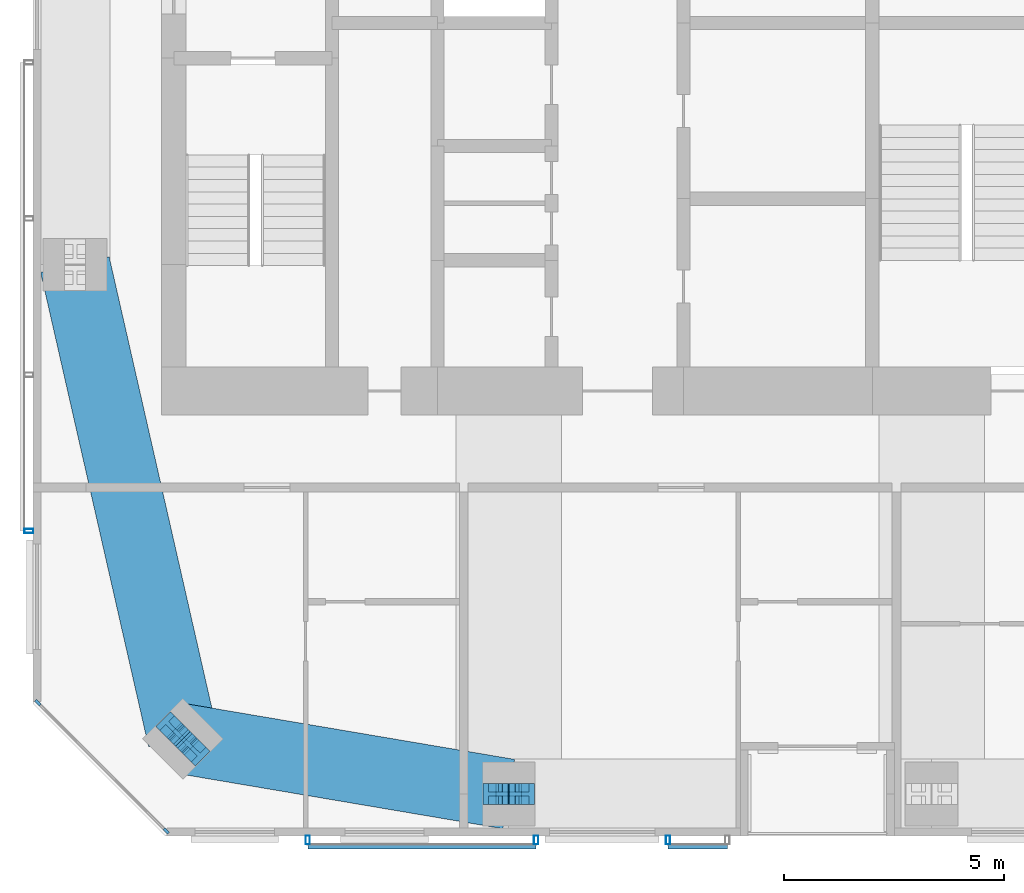
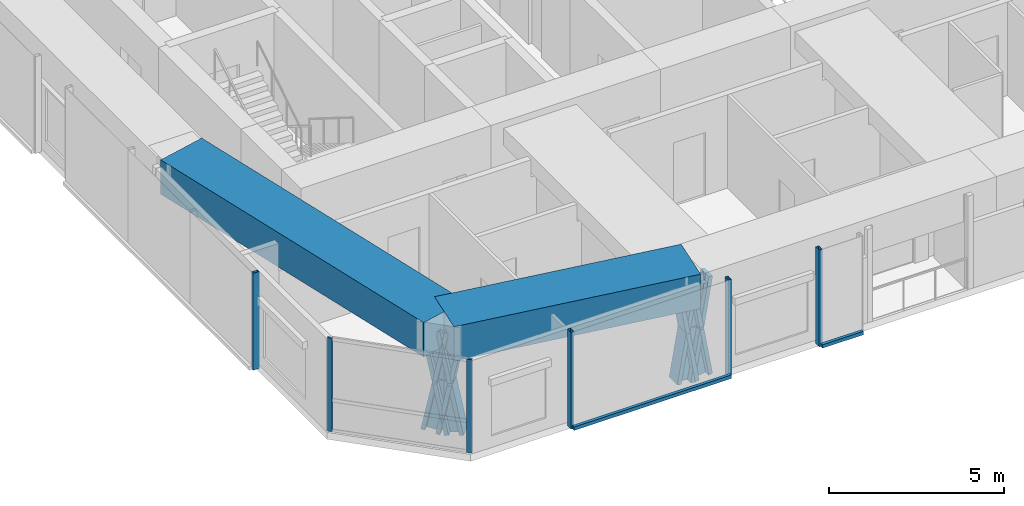
# One storey, part 2 of 20: 16 members, 2 beams, 4 elements without a shape of their own.
"""IFC4 building model written with IfcOpenShell, lengths in metres."""

from ifc_helpers import new_model, si_unit, direction, frame, origin, origin_2d, place, context, subcontext, project, spatial, rectangle, hollow_rectangle, i_section, extrude, material, material_profile, profile_set, type_object, element, aggregate, save


model = new_model("IFC4")

# Units and contexts
model_context = context("Model", 3, precision=1e-05, world=origin(), true_north=direction((0.0, 1.0)))
body_context = subcontext(model_context, "Body", "Model", "MODEL_VIEW")
ifc_project = project(units=[si_unit("LENGTHUNIT", "METRE"), si_unit("AREAUNIT", "SQUARE_METRE"), si_unit("VOLUMEUNIT", "CUBIC_METRE"), si_unit("PLANEANGLEUNIT", "RADIAN"), si_unit("MASSUNIT", "GRAM", prefix="KILO")], contexts=[model_context])

# Site, building, storey
site_placement = place(None, origin())
site = spatial("IfcSite", under=ifc_project, at=site_placement, CompositionType="ELEMENT")
building_placement = place(site_placement, origin())
building = spatial("IfcBuilding", under=site, at=building_placement, Name="Jalousie Tower", CompositionType="ELEMENT")
storey_placement = place(building_placement, frame((0.0, 0.0, 245.949951171875)))
storey = spatial("IfcBuildingStorey", under=building, at=storey_placement, Name="L67", CompositionType="ELEMENT", Elevation=245.949951171875)

# Curtain wall, members
ifc_material_1 = material(Name="Aluminium curtain wall", Category="aluminium")
curtain_wall_type_1 = type_object("IfcCurtainWallType", Name="CORNER WINDOW WALL", PredefinedType="USERDEFINED", material=ifc_material_1)
curtain_wall_1_placement = place(storey_placement, origin())
curtain_wall_1 = element("IfcCurtainWall", 1, at=curtain_wall_1_placement, inside=storey, type_object=curtain_wall_type_1, Name="Corner Window Wall L67 8", ObjectType="CORNER WINDOW WALL", PredefinedType="USERDEFINED")
ifc_material_2 = material(Name="Aluminium mullion", Category="aluminium")
ifc_material_profile_1 = material_profile(ifc_material_2, rectangle(XDim=0.06005859375, YDim=0.14990234375, at=origin_2d()), Name="MULLION 60x150")
ifc_profile_set_1 = profile_set([ifc_material_profile_1], Name="Aluminium mullion")
member_type_1 = type_object("IfcMemberType", Name="CORNER WINDOW WALL MULLION", PredefinedType="MULLION", material=ifc_profile_set_1)
member_1_placement = place(storey_placement, frame((16.90869140625, 3.030029296875, 0.0), z_axis=(0.0, 0.0, 1.0), x_axis=(0.707106781187, 0.707106781187, 0.0)))
member_1 = element("IfcMember", 2, at=member_1_placement, type_object=member_type_1, Name="CW-C mullion 1", PredefinedType="MULLION", context=body_context, shape_type="SweptSolid", body=[
    extrude(rectangle(XDim=0.06005859375, YDim=0.14990234375, at=origin_2d()), origin(), (0.0, 0.0, 1.0), 3.260009765625),
])
member_2_placement = place(storey_placement, frame((19.830078125, 0.108642578125, 0.0), z_axis=(0.0, 0.0, 1.0), x_axis=(0.707106781187, 0.707106781187, 0.0)))
member_2 = element("IfcMember", 3, at=member_2_placement, type_object=member_type_1, Name="CW-C mullion 2", PredefinedType="MULLION", context=body_context, shape_type="SweptSolid", body=[
    extrude(rectangle(XDim=0.06005859375, YDim=0.14990234375, at=origin_2d()), origin(), (0.0, 0.0, 1.0), 3.260009765625),
])
aggregate(curtain_wall_1, [member_1, member_2])

# Members
ifc_material_3 = material(Name="Steel ASTM A992 Grade 50", Category="steel")
ifc_material_profile_2 = material_profile(ifc_material_3, i_section(OverallWidth=0.472412109375, OverallDepth=0.5791015625, WebThickness=0.094970703125, FlangeThickness=0.1298828125, at=origin_2d()), Name="W14X808")
ifc_profile_set_2 = profile_set([ifc_material_profile_2], Name="Steel ASTM A992 Grade 50")
member_type_2 = type_object("IfcMemberType", Name="PERIMETER BRACE W14X808", PredefinedType="BRACE", material=ifc_profile_set_2)
for number, where, z_axis, x_axis, name in (
    (4, (19.959716796875, 2.45458984375, -0.599853515625), (0.138579250682, -0.138716051522, 0.980588419435), (0.707455539091, 0.706757851183, 0.0), "Perimeter brace 01 L67 part 1"),
    (5, (20.20703125, 2.20703125, 1.150146484375), (0.138716051522, -0.138579250682, 0.980588419435), (0.706757851183, 0.707455539091, 0.0), "Perimeter brace 01 L67 part 2"),
    (6, (20.45458984375, 1.959716796875, -0.599853515625), (-0.138716051522, 0.138579250682, 0.980588419435), (-0.706757851183, -0.707455539091, 0.0), "Perimeter brace 01 L67 part 3"),
    (7, (20.20703125, 2.20703125, 1.150146484375), (-0.138579250682, 0.138716051522, 0.980588419435), (-0.707455539091, -0.706757851183, 0.0), "Perimeter brace 01 L67 part 4"),
):
    element("IfcMember", number, at=place(storey_placement, frame(where, z_axis=z_axis, x_axis=x_axis)), inside=storey, type_object=member_type_2, Name=name, PredefinedType="BRACE", context=body_context, shape_type="SweptSolid", body=[
        extrude(i_section(OverallWidth=0.472412109375, OverallDepth=0.5791015625, WebThickness=0.094970703125, FlangeThickness=0.1298828125, at=origin_2d()), origin(), (0.0, 0.0, 1.0), 1.78466796875),
    ])
for number, where, z_axis, x_axis, name in (
    (8, (27.324951171875, 0.949951171875, -0.599853515625), (0.168990530437, 0.0, 0.98561767467), (0.0, 1.0, 0.0), "Perimeter brace 02 L67 part 1"),
    (9, (27.625, 0.949951171875, 1.150146484375), (0.168990530437, 0.0, 0.98561767467), (0.0, 1.0, 0.0), "Perimeter brace 02 L67 part 2"),
    (10, (27.925048828125, 0.949951171875, -0.599853515625), (-0.168990530437, 0.0, 0.98561767467), (0.0, -1.0, 0.0), "Perimeter brace 02 L67 part 3"),
    (11, (27.625, 0.949951171875, 1.150146484375), (-0.168990530437, 0.0, 0.98561767467), (0.0, -1.0, 0.0), "Perimeter brace 02 L67 part 4"),
):
    element("IfcMember", number, at=place(storey_placement, frame(where, z_axis=z_axis, x_axis=x_axis)), inside=storey, type_object=member_type_2, Name=name, PredefinedType="BRACE", context=body_context, shape_type="SweptSolid", body=[
        extrude(i_section(OverallWidth=0.472412109375, OverallDepth=0.5791015625, WebThickness=0.094970703125, FlangeThickness=0.1298828125, at=origin_2d()), origin(), (0.0, 0.0, 1.0), 1.775634765625),
    ])

# Beams
ifc_material_4 = material(Name="Concrete f'c 40 MPa", Category="concrete")
ifc_material_profile_3 = material_profile(ifc_material_4, rectangle(XDim=1.60009765625, YDim=1.199951171875, at=origin_2d()), Name="RC 1600x1200")
ifc_profile_set_3 = profile_set([ifc_material_profile_3], Name="Concrete f'c 40 MPa")
beam_type = type_object("IfcBeamType", Name="RC BEAM 1600x1200", PredefinedType="BEAM", material=ifc_profile_set_3)
beam_1_placement = place(storey_placement, frame((20.20703125, 2.20703125, 2.900146484375), z_axis=(0.985942997446, -0.167082033105, 0.0), x_axis=(0.167082033105, 0.985942997446, 0.0)))
element("IfcBeam", 12, at=beam_1_placement, inside=storey, type_object=beam_type, Name="Edge band beam 01-02 under L68", PredefinedType="BEAM", context=body_context, shape_type="SweptSolid", body=[
    extrude(rectangle(XDim=1.60009765625, YDim=1.199951171875, at=origin_2d()), origin(), (0.0, 0.0, 1.0), 7.523681640625),
])
beam_2_placement = place(storey_placement, frame((17.75, 13.0, 2.900146484375), z_axis=(0.221971905818, -0.975053061647, 0.0), x_axis=(0.975053061647, 0.221971905818, 0.0)))
element("IfcBeam", 13, at=beam_2_placement, inside=storey, type_object=beam_type, Name="Edge band beam 14-01 under L68", PredefinedType="BEAM", context=body_context, shape_type="SweptSolid", body=[
    extrude(rectangle(XDim=1.60009765625, YDim=1.199951171875, at=origin_2d()), origin(), (0.0, 0.0, 1.0), 11.069091796875),
])

# Curtain wall, members
ifc_material_5 = material(Name="Perforated aluminium sheet", Category="aluminium")
curtain_wall_type_2 = type_object("IfcCurtainWallType", Name="SOLAR SCREEN SS-2", PredefinedType="USERDEFINED", material=ifc_material_5)
curtain_wall_2_placement = place(storey_placement, origin())
curtain_wall_2 = element("IfcCurtainWall", 14, at=curtain_wall_2_placement, inside=storey, type_object=curtain_wall_type_2, Name="Solar screen L67", ObjectType="SOLAR SCREEN SS-2", PredefinedType="USERDEFINED")
ifc_material_6 = material(Name="Steel ASTM A500 Grade C", Category="steel")
ifc_material_profile_4 = material_profile(ifc_material_6, hollow_rectangle(XDim=0.1015625, YDim=0.203125, WallThickness=0.0078125, at=origin_2d()), Name="HSS8X4X5/16")
ifc_profile_set_4 = profile_set([ifc_material_profile_4], Name="Steel ASTM A500 Grade C")
member_type_3 = type_object("IfcMemberType", Name="SOLAR SCREEN SS-2 MULLION", PredefinedType="MULLION", material=ifc_profile_set_4)
member_3_placement = place(storey_placement, frame((23.050048828125, -0.0966796875, -0.119873046875), z_axis=(0.0, 0.0, 1.0), x_axis=(1.0, 0.0, 0.0)))
member_3 = element("IfcMember", 15, at=member_3_placement, type_object=member_type_3, Name="SS2 post 1", PredefinedType="MULLION", context=body_context, shape_type="SweptSolid", body=[
    extrude(hollow_rectangle(XDim=0.1015625, YDim=0.203125, WallThickness=0.0078125, at=origin_2d()), origin(), (0.0, 0.0, 1.0), 3.3798828125),
])
member_4_placement = place(storey_placement, frame((28.25, -0.0966796875, -0.119873046875), z_axis=(0.0, 0.0, 1.0), x_axis=(1.0, 0.0, 0.0)))
member_4 = element("IfcMember", 16, at=member_4_placement, type_object=member_type_3, Name="SS2 post 2", PredefinedType="MULLION", context=body_context, shape_type="SweptSolid", body=[
    extrude(hollow_rectangle(XDim=0.1015625, YDim=0.203125, WallThickness=0.0078125, at=origin_2d()), origin(), (0.0, 0.0, 1.0), 3.3798828125),
])

# Curtain wall, member
curtain_wall_3_placement = place(storey_placement, origin())
curtain_wall_3 = element("IfcCurtainWall", 17, at=curtain_wall_3_placement, inside=storey, type_object=curtain_wall_type_2, Name="Solar screen L67", ObjectType="SOLAR SCREEN SS-2", PredefinedType="USERDEFINED")
member_5_placement = place(storey_placement, frame((31.25, -0.0966796875, -0.119873046875), z_axis=(0.0, 0.0, 1.0), x_axis=(1.0, 0.0, 0.0)))
member_5 = element("IfcMember", 18, at=member_5_placement, type_object=member_type_3, Name="SS2 post 1", PredefinedType="MULLION", context=body_context, shape_type="SweptSolid", body=[
    extrude(hollow_rectangle(XDim=0.1015625, YDim=0.203125, WallThickness=0.0078125, at=origin_2d()), origin(), (0.0, 0.0, 1.0), 3.3798828125),
])

curtain_wall_4_placement = place(storey_placement, origin())
curtain_wall_4 = element("IfcCurtainWall", 19, at=curtain_wall_4_placement, inside=storey, type_object=curtain_wall_type_2, Name="Solar screen L67", ObjectType="SOLAR SCREEN SS-2", PredefinedType="USERDEFINED")
member_6_placement = place(storey_placement, frame((16.703369140625, 6.93798828125, -0.119873046875), z_axis=(0.0, 0.0, 1.0), x_axis=(0.0, -1.0, 0.0)))
member_6 = element("IfcMember", 20, at=member_6_placement, type_object=member_type_3, Name="SS2 post 4", PredefinedType="MULLION", context=body_context, shape_type="SweptSolid", body=[
    extrude(hollow_rectangle(XDim=0.1015625, YDim=0.203125, WallThickness=0.0078125, at=origin_2d()), origin(), (0.0, 0.0, 1.0), 3.3798828125),
])
aggregate(curtain_wall_4, [member_6])

# Member
ifc_material_7 = material(Name="Extruded aluminium screen rail", Category="aluminium")
ifc_material_profile_5 = material_profile(ifc_material_7, rectangle(XDim=0.1015625, YDim=0.1201171875, at=origin_2d()), Name="RAIL 102x120")
ifc_profile_set_5 = profile_set([ifc_material_profile_5], Name="Extruded aluminium screen rail")
member_type_4 = type_object("IfcMemberType", Name="SOLAR SCREEN SS-2 TRANSOM", PredefinedType="USERDEFINED", material=ifc_profile_set_5)
member_7_placement = place(storey_placement, frame((23.050048828125, -0.2490234375, -0.06005859375), z_axis=(1.0, 0.0, 0.0), x_axis=(0.0, 1.0, 0.0)))
member_7 = element("IfcMember", 21, at=member_7_placement, type_object=member_type_4, Name="SS2 rail", ObjectType="TRANSOM", PredefinedType="USERDEFINED", context=body_context, shape_type="SweptSolid", body=[
    extrude(rectangle(XDim=0.1015625, YDim=0.1201171875, at=origin_2d()), origin(), (0.0, 0.0, 1.0), 5.199951171875),
])

aggregate(curtain_wall_2, [member_3, member_4, member_7])

member_8_placement = place(storey_placement, frame((31.25, -0.2490234375, -0.06005859375), z_axis=(1.0, 0.0, 0.0), x_axis=(0.0, 1.0, 0.0)))
member_8 = element("IfcMember", 22, at=member_8_placement, type_object=member_type_4, Name="SS2 rail", ObjectType="TRANSOM", PredefinedType="USERDEFINED", context=body_context, shape_type="SweptSolid", body=[
    extrude(rectangle(XDim=0.1015625, YDim=0.1201171875, at=origin_2d()), origin(), (0.0, 0.0, 1.0), 1.35009765625),
])

aggregate(curtain_wall_3, [member_5, member_8])

save(model, "model.ifc")
